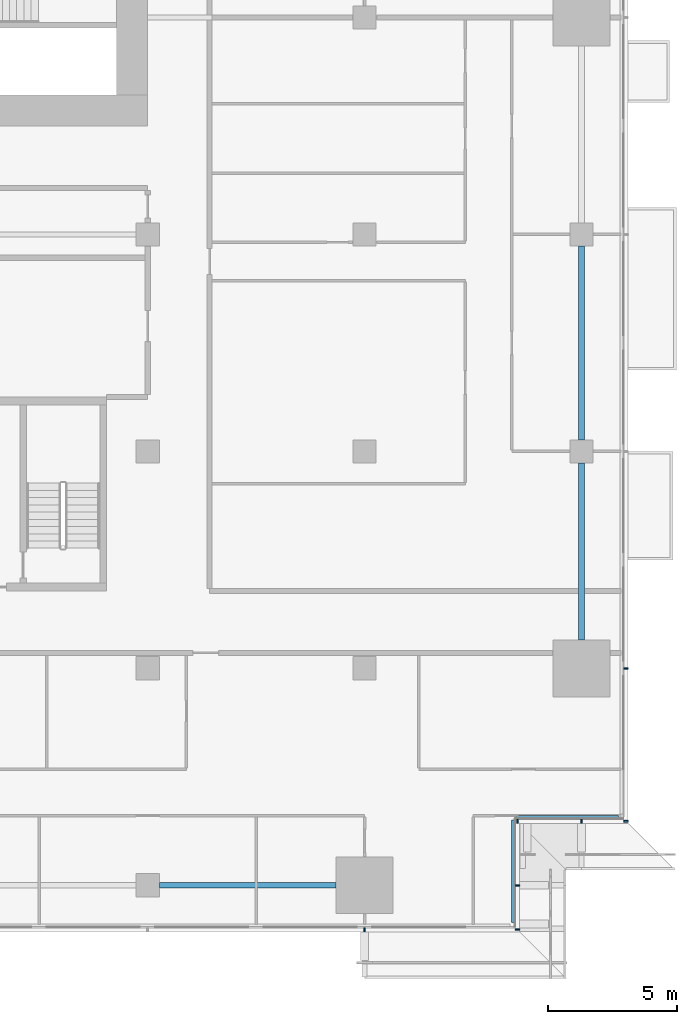
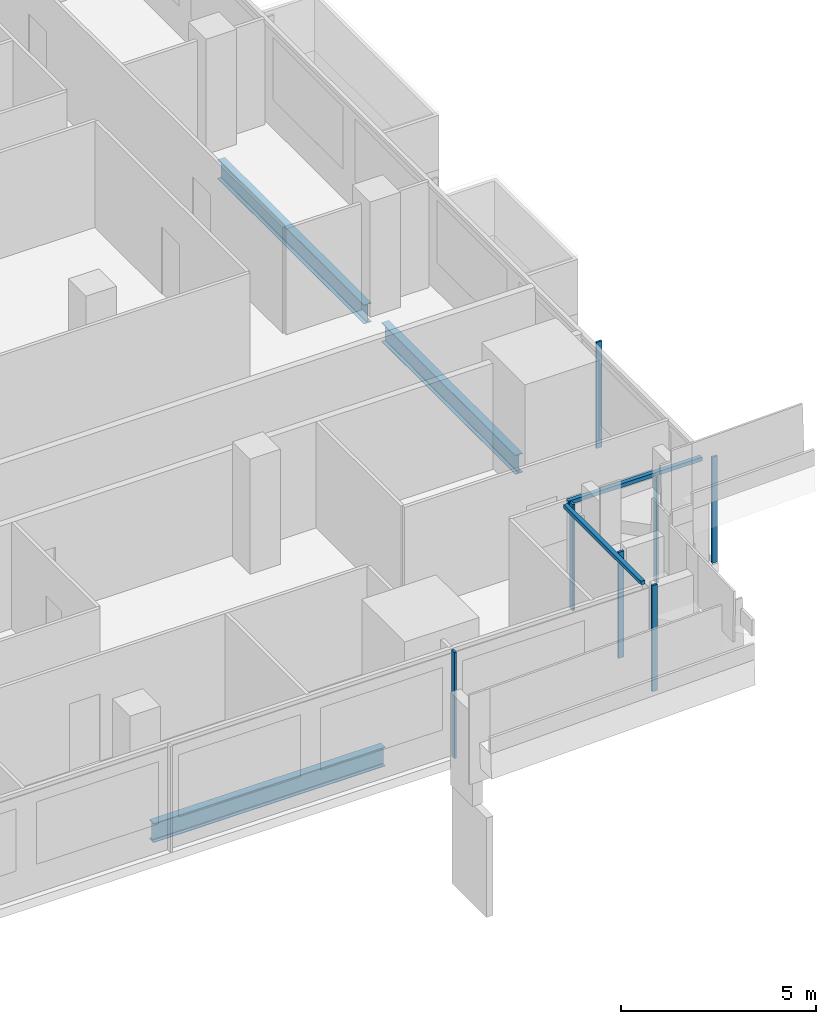
# One storey, part 11 of 29: 9 members, 3 beams, 4 elements without a shape of their own.
"""IFC4 building model written with IfcOpenShell, lengths in metres."""

from ifc_helpers import new_model, si_unit, direction, frame, origin, origin_2d, place, context, subcontext, project, spatial, rectangle, i_section, extrude, material, material_profile, profile_set, type_object, element, aggregate, save


model = new_model("IFC4")

# Units and contexts
model_context = context("Model", 3, precision=1e-05, world=origin(), true_north=direction((0.0, 1.0)))
body_context = subcontext(model_context, "Body", "Model", "MODEL_VIEW")
ifc_project = project(units=[si_unit("LENGTHUNIT", "METRE"), si_unit("AREAUNIT", "SQUARE_METRE"), si_unit("VOLUMEUNIT", "CUBIC_METRE"), si_unit("PLANEANGLEUNIT", "RADIAN"), si_unit("MASSUNIT", "GRAM", prefix="KILO")], contexts=[model_context])

# Site, building, storey
site_placement = place(None, origin())
site = spatial("IfcSite", under=ifc_project, at=site_placement, CompositionType="ELEMENT")
building_placement = place(site_placement, origin())
building = spatial("IfcBuilding", under=site, at=building_placement, Name="Saffron Gate Tower", CompositionType="ELEMENT")
storey_placement = place(building_placement, frame((0.0, 0.0, 48.0)))
storey = spatial("IfcBuildingStorey", under=building, at=storey_placement, Name="L10", CompositionType="ELEMENT", Elevation=48.0)

# Beams
ifc_material_1 = material(Name="Structural steel S355", Category="steel")
ifc_material_profile_1 = material_profile(ifc_material_1, i_section(OverallWidth=0.219970703125, OverallDepth=0.60009765625, WebThickness=0.011962890625, FlangeThickness=0.01904296875, FilletRadius=0.02392578125, at=origin_2d()))
ifc_profile_set_1 = profile_set([ifc_material_profile_1], Name="Structural steel S355")
beam_type = type_object("IfcBeamType", Name="B16 IPE 600", PredefinedType="SPANDREL", material=ifc_profile_set_1)
for number, where, z_axis, x_axis, name in (
    (1, (109.050048828125, 31.800048828125, -0.580078125), (1.0, 0.0, 0.0), (0.0, 1.0, 0.0), "B16 SPANDREL BEAM"),
    (2, (125.39990234375, 41.300048828125, -0.580078125), (0.0, 1.0, 0.0), (-1.0, 0.0, 0.0), "B16 SPANDREL BEAM"),
):
    element("IfcBeam", number, at=place(storey_placement, frame(where, z_axis=z_axis, x_axis=x_axis)), inside=storey, type_object=beam_type, Name=name, PredefinedType="SPANDREL", context=body_context, shape_type="SweptSolid", body=[
        extrude(i_section(OverallWidth=0.219970703125, OverallDepth=0.60009765625, WebThickness=0.011962890625, FlangeThickness=0.01904296875, FilletRadius=0.02392578125, at=origin_2d()), origin(), (0.0, 0.0, 1.0), 6.849853515625),
    ])
beam_placement = place(storey_placement, frame((125.39990234375, 49.050048828125, -0.580078125), z_axis=(0.0, 1.0, 0.0), x_axis=(-1.0, 0.0, 0.0)))
element("IfcBeam", 3, at=beam_placement, inside=storey, type_object=beam_type, Name="B16 SPANDREL BEAM", PredefinedType="SPANDREL", context=body_context, shape_type="SweptSolid", body=[
    extrude(i_section(OverallWidth=0.219970703125, OverallDepth=0.60009765625, WebThickness=0.011962890625, FlangeThickness=0.01904296875, FilletRadius=0.02392578125, at=origin_2d()), origin(), (0.0, 0.0, 1.0), 7.5),
])

# Curtain wall, member
ifc_material_2 = material(Name="Aluminium, bronze anodised", Category="aluminium")
curtain_wall_type_1 = type_object("IfcCurtainWallType", Name="CWS1 curtain wall front facade", PredefinedType="NOTDEFINED", material=ifc_material_2)
curtain_wall_1_placement = place(storey_placement, origin())
curtain_wall_1 = element("IfcCurtainWall", 4, at=curtain_wall_1_placement, inside=storey, type_object=curtain_wall_type_1, Name="CWS1 run 1", PredefinedType="NOTDEFINED")
ifc_material_profile_2 = material_profile(ifc_material_2, rectangle(XDim=0.159912109375, YDim=0.06005859375, at=origin_2d()))
ifc_profile_set_2 = profile_set([ifc_material_profile_2], Name="Aluminium, bronze anodised")
member_type_1 = type_object("IfcMemberType", Name="CWS1 mullion 60x160", PredefinedType="MULLION", material=ifc_profile_set_2)
member_1_placement = place(storey_placement, frame((117.0, 30.080078125, 0.0), z_axis=(0.0, 0.0, 1.0), x_axis=(0.0, 1.0, 0.0)))
member_1 = element("IfcMember", 5, at=member_1_placement, type_object=member_type_1, Name="CWS1 mullion 9", PredefinedType="MULLION", context=body_context, shape_type="SweptSolid", body=[
    extrude(rectangle(XDim=0.159912109375, YDim=0.06005859375, at=origin_2d()), origin(), (0.0, 0.0, 1.0), 3.320068359375),
])
aggregate(curtain_wall_1, [member_1])

# Curtain wall, members
curtain_wall_type_2 = type_object("IfcCurtainWallType", Name="CWS2 curtain wall side facades", PredefinedType="NOTDEFINED", material=ifc_material_2)
curtain_wall_2_placement = place(storey_placement, origin())
curtain_wall_2 = element("IfcCurtainWall", 6, at=curtain_wall_2_placement, inside=storey, type_object=curtain_wall_type_2, Name="CWS2 run 4", PredefinedType="NOTDEFINED")
ifc_material_profile_3 = material_profile(ifc_material_2, rectangle(XDim=0.159912109375, YDim=0.06005859375, at=origin_2d()))
ifc_profile_set_3 = profile_set([ifc_material_profile_3], Name="Aluminium, bronze anodised")
member_type_2 = type_object("IfcMemberType", Name="CWS2 mullion 60x160", PredefinedType="MULLION", material=ifc_profile_set_3)
member_2_placement = place(storey_placement, frame((127.1201171875, 34.280029296875, 0.0), z_axis=(0.0, 0.0, 1.0), x_axis=(-1.0, 0.0, 0.0)))
member_2 = element("IfcMember", 7, at=member_2_placement, type_object=member_type_2, Name="CWS2 mullion 1", PredefinedType="MULLION", context=body_context, shape_type="SweptSolid", body=[
    extrude(rectangle(XDim=0.159912109375, YDim=0.06005859375, at=origin_2d()), origin(), (0.0, 0.0, 1.0), 3.320068359375),
])
member_3_placement = place(storey_placement, frame((127.1201171875, 40.199951171875, 0.0), z_axis=(0.0, 0.0, 1.0), x_axis=(-1.0, 0.0, 0.0)))
member_3 = element("IfcMember", 8, at=member_3_placement, type_object=member_type_2, Name="CWS2 mullion 2", PredefinedType="MULLION", context=body_context, shape_type="SweptSolid", body=[
    extrude(rectangle(XDim=0.159912109375, YDim=0.06005859375, at=origin_2d()), origin(), (0.0, 0.0, 1.0), 3.320068359375),
])
aggregate(curtain_wall_2, [member_2, member_3])

# Curtain wall, member
curtain_wall_type_3 = type_object("IfcCurtainWallType", Name="CWS4 curtain wall corner returns", PredefinedType="NOTDEFINED", material=ifc_material_2)
curtain_wall_3_placement = place(storey_placement, origin())
curtain_wall_3 = element("IfcCurtainWall", 9, at=curtain_wall_3_placement, inside=storey, type_object=curtain_wall_type_3, Name="CWS4 run 2", PredefinedType="NOTDEFINED")
ifc_material_profile_4 = material_profile(ifc_material_2, rectangle(XDim=0.1201171875, YDim=0.1201171875, at=origin_2d()))
ifc_profile_set_4 = profile_set([ifc_material_profile_4], Name="Aluminium, bronze anodised")
member_type_3 = type_object("IfcMemberType", Name="CWS4 head transom", PredefinedType="USERDEFINED", material=ifc_profile_set_4)
member_4_placement = place(storey_placement, frame((122.751953125, 30.367919921875, 3.260009765625), z_axis=(0.0, 1.0, 0.0), x_axis=(-1.0, 0.0, 0.0)))
member_4 = element("IfcMember", 10, at=member_4_placement, type_object=member_type_3, Name="CWS4 head transom", ObjectType="TRANSOM", PredefinedType="USERDEFINED", context=body_context, shape_type="SweptSolid", body=[
    extrude(rectangle(XDim=0.1201171875, YDim=0.1201171875, at=origin_2d()), origin(), (0.0, 0.0, 1.0), 3.9599609375),
])

curtain_wall_4_placement = place(storey_placement, origin())
curtain_wall_4 = element("IfcCurtainWall", 11, at=curtain_wall_4_placement, inside=storey, type_object=curtain_wall_type_3, Name="CWS4 run 3", PredefinedType="NOTDEFINED")
member_5_placement = place(storey_placement, frame((122.8720703125, 34.447998046875, 3.260009765625), z_axis=(1.0, 0.0, 0.0), x_axis=(0.0, 1.0, 0.0)))
member_5 = element("IfcMember", 12, at=member_5_placement, type_object=member_type_3, Name="CWS4 head transom", ObjectType="TRANSOM", PredefinedType="USERDEFINED", context=body_context, shape_type="SweptSolid", body=[
    extrude(rectangle(XDim=0.1201171875, YDim=0.1201171875, at=origin_2d()), origin(), (0.0, 0.0, 1.0), 3.9599609375),
])

# Member
ifc_material_profile_5 = material_profile(ifc_material_2, rectangle(XDim=0.159912109375, YDim=0.06005859375, at=origin_2d()))
ifc_profile_set_5 = profile_set([ifc_material_profile_5], Name="Aluminium, bronze anodised")
member_type_4 = type_object("IfcMemberType", Name="CWS4 mullion 60x160", PredefinedType="MULLION", material=ifc_profile_set_5)
member_6_placement = place(storey_placement, frame((122.919921875, 30.080078125, 0.0), z_axis=(0.0, 0.0, 1.0), x_axis=(-1.0, 0.0, 0.0)))
member_6 = element("IfcMember", 13, at=member_6_placement, type_object=member_type_4, Name="CWS4 mullion 1", PredefinedType="MULLION", context=body_context, shape_type="SweptSolid", body=[
    extrude(rectangle(XDim=0.159912109375, YDim=0.06005859375, at=origin_2d()), origin(), (0.0, 0.0, 1.0), 3.320068359375),
])

member_7_placement = place(storey_placement, frame((122.919921875, 31.800048828125, 0.0), z_axis=(0.0, 0.0, 1.0), x_axis=(-1.0, 0.0, 0.0)))
member_7 = element("IfcMember", 14, at=member_7_placement, type_object=member_type_4, Name="CWS4 mullion 2", PredefinedType="MULLION", context=body_context, shape_type="SweptSolid", body=[
    extrude(rectangle(XDim=0.159912109375, YDim=0.06005859375, at=origin_2d()), origin(), (0.0, 0.0, 1.0), 3.320068359375),
])

aggregate(curtain_wall_3, [member_6, member_7, member_4])

member_8_placement = place(storey_placement, frame((122.919921875, 34.280029296875, 0.0), z_axis=(0.0, 0.0, 1.0), x_axis=(0.0, 1.0, 0.0)))
member_8 = element("IfcMember", 15, at=member_8_placement, type_object=member_type_4, Name="CWS4 mullion 1", PredefinedType="MULLION", context=body_context, shape_type="SweptSolid", body=[
    extrude(rectangle(XDim=0.159912109375, YDim=0.06005859375, at=origin_2d()), origin(), (0.0, 0.0, 1.0), 3.320068359375),
])

member_9_placement = place(storey_placement, frame((125.39990234375, 34.280029296875, 0.0), z_axis=(0.0, 0.0, 1.0), x_axis=(0.0, 1.0, 0.0)))
member_9 = element("IfcMember", 16, at=member_9_placement, type_object=member_type_4, Name="CWS4 mullion 2", PredefinedType="MULLION", context=body_context, shape_type="SweptSolid", body=[
    extrude(rectangle(XDim=0.159912109375, YDim=0.06005859375, at=origin_2d()), origin(), (0.0, 0.0, 1.0), 3.320068359375),
])

aggregate(curtain_wall_4, [member_8, member_9, member_5])

save(model, "model.ifc")
